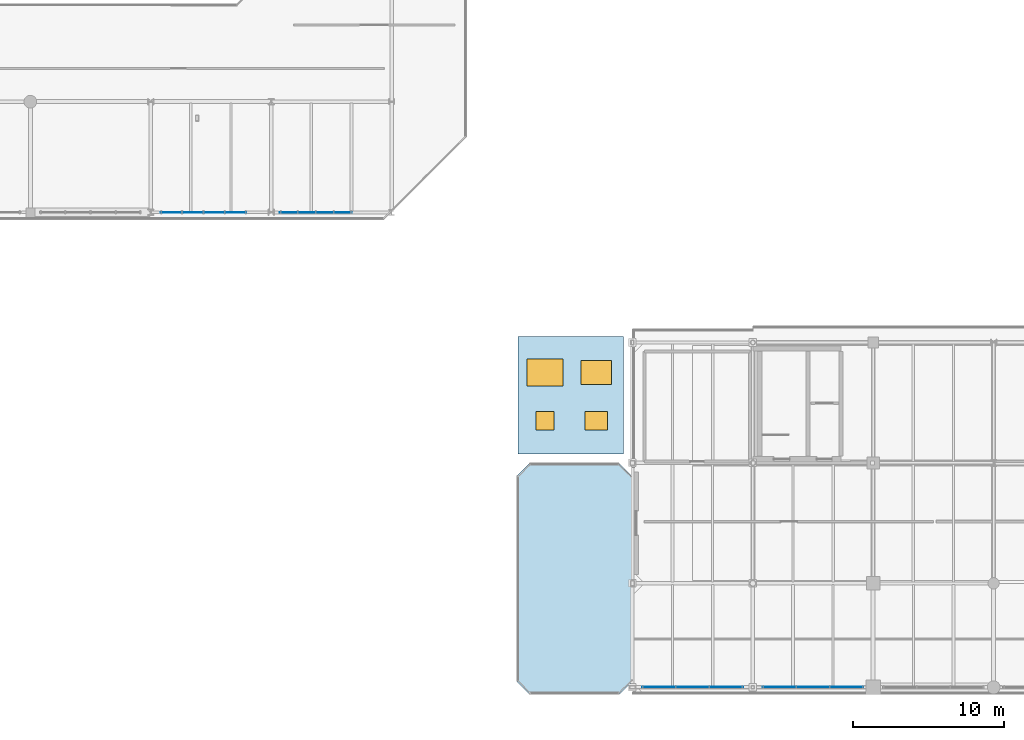
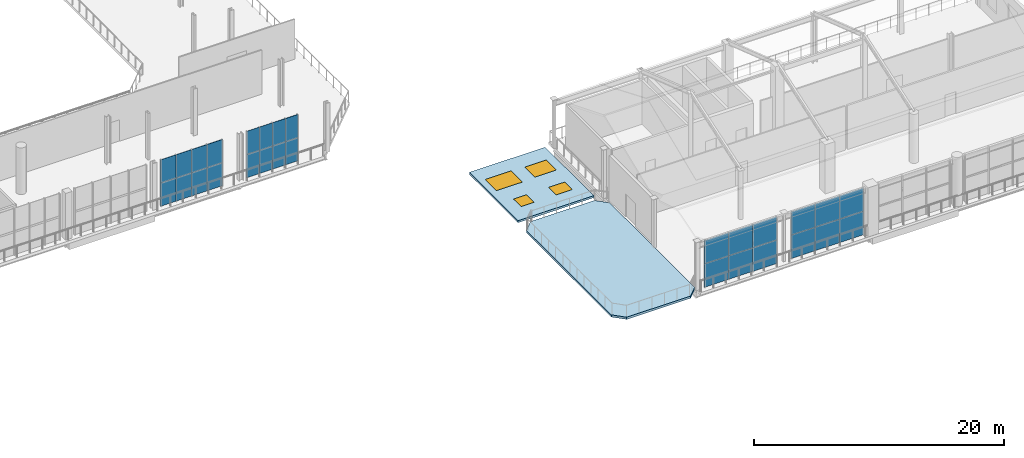
# One storey, part 29 of 51: 28 plates, 4 windows, 2 slabs, 4 openings, 4 elements without a shape of their own.
"""IFC4 building model written with IfcOpenShell, lengths in metres."""

from ifc_helpers import new_model, si_unit, direction, frame, origin, origin_2d, place, context, subcontext, project, spatial, polyline, rectangle, outline, extrude, material, layer, layer_set, type_object, element, fill, aggregate, save


model = new_model("IFC4")

# Units and contexts
model_context = context("Model", 3, precision=1e-05, world=origin(), true_north=direction((0.0, 1.0)))
body_context = subcontext(model_context, "Body", "Model", "MODEL_VIEW")
ifc_project = project(units=[si_unit("LENGTHUNIT", "METRE"), si_unit("AREAUNIT", "SQUARE_METRE"), si_unit("VOLUMEUNIT", "CUBIC_METRE"), si_unit("PLANEANGLEUNIT", "RADIAN"), si_unit("MASSUNIT", "GRAM", prefix="KILO")], contexts=[model_context])

# Site, building, storey
site_placement = place(None, origin())
site = spatial("IfcSite", under=ifc_project, at=site_placement, CompositionType="ELEMENT")
building_placement = place(site_placement, origin())
building = spatial("IfcBuilding", under=site, at=building_placement, Name="Brisemont Oceanarium", CompositionType="ELEMENT")
storey_placement = place(building_placement, frame((0.0, 0.0, 15.0)))
storey = spatial("IfcBuildingStorey", under=building, at=storey_placement, Name="L03", CompositionType="ELEMENT", Elevation=15.0)

# Curtain wall, plates
ifc_material_1 = material(Name="Anodized Extruded Aluminum 6063-T6", Category="aluminium")
curtain_wall_type_1 = type_object("IfcCurtainWallType", Name="CW-EDU-58X43", PredefinedType="NOTDEFINED", material=ifc_material_1)
curtain_wall_1_placement = place(storey_placement, origin())
curtain_wall_1 = element("IfcCurtainWall", 1, at=curtain_wall_1_placement, inside=storey, type_object=curtain_wall_type_1, Name="CW-10 curtain wall CW-V3-S-L03-01", PredefinedType="NOTDEFINED")
ifc_material_2 = material(Name="Insulated Low-E Laminated Glass", Category="glass")
ifc_layer_1 = layer(ifc_material_2, 0.02587890625)
ifc_layer_set_1 = layer_set([ifc_layer_1], Name="Insulated Low-E Laminated Glass")
plate_type_1 = type_object("IfcPlateType", Name="PLT-CWP-V10", PredefinedType="CURTAIN_PANEL", material=ifc_layer_set_1)
plate_1_placement = place(storey_placement, frame((121.7666015625, 1.10009765625, 0.00146484375), z_axis=(0.0, 0.0, 1.0), x_axis=(1.0, 0.0, 0.0)))
plate_1 = element("IfcPlate", 2, at=plate_1_placement, type_object=plate_type_1, Name="CW-V3-S-L03-01 panel 1.1", PredefinedType="CURTAIN_PANEL", context=body_context, shape_type="SweptSolid", body=[
    extrude(rectangle(XDim=2.230224609375, YDim=0.02587890625, at=origin_2d()), origin(), (0.0, 0.0, 1.0), 2.297119140625),
])
plate_2_placement = place(storey_placement, frame((121.7666015625, 1.10009765625, 2.30126953125), z_axis=(0.0, 0.0, 1.0), x_axis=(1.0, 0.0, 0.0)))
plate_2 = element("IfcPlate", 3, at=plate_2_placement, type_object=plate_type_1, Name="CW-V3-S-L03-01 panel 1.2", PredefinedType="CURTAIN_PANEL", context=body_context, shape_type="SweptSolid", body=[
    extrude(rectangle(XDim=2.230224609375, YDim=0.02587890625, at=origin_2d()), origin(), (0.0, 0.0, 1.0), 2.297119140625),
])
plate_3_placement = place(storey_placement, frame((124.0, 1.10009765625, 0.00146484375), z_axis=(0.0, 0.0, 1.0), x_axis=(1.0, 0.0, 0.0)))
plate_3 = element("IfcPlate", 4, at=plate_3_placement, type_object=plate_type_1, Name="CW-V3-S-L03-01 panel 2.1", PredefinedType="CURTAIN_PANEL", context=body_context, shape_type="SweptSolid", body=[
    extrude(rectangle(XDim=2.230224609375, YDim=0.02587890625, at=origin_2d()), origin(), (0.0, 0.0, 1.0), 2.297119140625),
])
plate_4_placement = place(storey_placement, frame((124.0, 1.10009765625, 2.30126953125), z_axis=(0.0, 0.0, 1.0), x_axis=(1.0, 0.0, 0.0)))
plate_4 = element("IfcPlate", 5, at=plate_4_placement, type_object=plate_type_1, Name="CW-V3-S-L03-01 panel 2.2", PredefinedType="CURTAIN_PANEL", context=body_context, shape_type="SweptSolid", body=[
    extrude(rectangle(XDim=2.230224609375, YDim=0.02587890625, at=origin_2d()), origin(), (0.0, 0.0, 1.0), 2.297119140625),
])
plate_5_placement = place(storey_placement, frame((126.2333984375, 1.10009765625, 0.00146484375), z_axis=(0.0, 0.0, 1.0), x_axis=(1.0, 0.0, 0.0)))
plate_5 = element("IfcPlate", 6, at=plate_5_placement, type_object=plate_type_1, Name="CW-V3-S-L03-01 panel 3.1", PredefinedType="CURTAIN_PANEL", context=body_context, shape_type="SweptSolid", body=[
    extrude(rectangle(XDim=2.230224609375, YDim=0.02587890625, at=origin_2d()), origin(), (0.0, 0.0, 1.0), 2.297119140625),
])
plate_6_placement = place(storey_placement, frame((126.2333984375, 1.10009765625, 2.30126953125), z_axis=(0.0, 0.0, 1.0), x_axis=(1.0, 0.0, 0.0)))
plate_6 = element("IfcPlate", 7, at=plate_6_placement, type_object=plate_type_1, Name="CW-V3-S-L03-01 panel 3.2", PredefinedType="CURTAIN_PANEL", context=body_context, shape_type="SweptSolid", body=[
    extrude(rectangle(XDim=2.230224609375, YDim=0.02587890625, at=origin_2d()), origin(), (0.0, 0.0, 1.0), 2.297119140625),
])
aggregate(curtain_wall_1, [plate_1, plate_2, plate_3, plate_4, plate_5, plate_6])

curtain_wall_2_placement = place(storey_placement, origin())
curtain_wall_2 = element("IfcCurtainWall", 8, at=curtain_wall_2_placement, inside=storey, type_object=curtain_wall_type_1, Name="CW-10 curtain wall CW-V3-S-L03-02", PredefinedType="NOTDEFINED")
plate_7_placement = place(storey_placement, frame((129.7666015625, 1.10009765625, 0.00146484375), z_axis=(0.0, 0.0, 1.0), x_axis=(1.0, 0.0, 0.0)))
plate_7 = element("IfcPlate", 9, at=plate_7_placement, type_object=plate_type_1, Name="CW-V3-S-L03-02 panel 1.1", PredefinedType="CURTAIN_PANEL", context=body_context, shape_type="SweptSolid", body=[
    extrude(rectangle(XDim=2.230224609375, YDim=0.02587890625, at=origin_2d()), origin(), (0.0, 0.0, 1.0), 2.297119140625),
])
plate_8_placement = place(storey_placement, frame((129.7666015625, 1.10009765625, 2.30126953125), z_axis=(0.0, 0.0, 1.0), x_axis=(1.0, 0.0, 0.0)))
plate_8 = element("IfcPlate", 10, at=plate_8_placement, type_object=plate_type_1, Name="CW-V3-S-L03-02 panel 1.2", PredefinedType="CURTAIN_PANEL", context=body_context, shape_type="SweptSolid", body=[
    extrude(rectangle(XDim=2.230224609375, YDim=0.02587890625, at=origin_2d()), origin(), (0.0, 0.0, 1.0), 2.297119140625),
])
plate_9_placement = place(storey_placement, frame((132.0, 1.10009765625, 0.00146484375), z_axis=(0.0, 0.0, 1.0), x_axis=(1.0, 0.0, 0.0)))
plate_9 = element("IfcPlate", 11, at=plate_9_placement, type_object=plate_type_1, Name="CW-V3-S-L03-02 panel 2.1", PredefinedType="CURTAIN_PANEL", context=body_context, shape_type="SweptSolid", body=[
    extrude(rectangle(XDim=2.230224609375, YDim=0.02587890625, at=origin_2d()), origin(), (0.0, 0.0, 1.0), 2.297119140625),
])
plate_10_placement = place(storey_placement, frame((132.0, 1.10009765625, 2.30126953125), z_axis=(0.0, 0.0, 1.0), x_axis=(1.0, 0.0, 0.0)))
plate_10 = element("IfcPlate", 12, at=plate_10_placement, type_object=plate_type_1, Name="CW-V3-S-L03-02 panel 2.2", PredefinedType="CURTAIN_PANEL", context=body_context, shape_type="SweptSolid", body=[
    extrude(rectangle(XDim=2.230224609375, YDim=0.02587890625, at=origin_2d()), origin(), (0.0, 0.0, 1.0), 2.297119140625),
])
plate_11_placement = place(storey_placement, frame((134.2333984375, 1.10009765625, 0.00146484375), z_axis=(0.0, 0.0, 1.0), x_axis=(1.0, 0.0, 0.0)))
plate_11 = element("IfcPlate", 13, at=plate_11_placement, type_object=plate_type_1, Name="CW-V3-S-L03-02 panel 3.1", PredefinedType="CURTAIN_PANEL", context=body_context, shape_type="SweptSolid", body=[
    extrude(rectangle(XDim=2.230224609375, YDim=0.02587890625, at=origin_2d()), origin(), (0.0, 0.0, 1.0), 2.297119140625),
])
plate_12_placement = place(storey_placement, frame((134.2333984375, 1.10009765625, 2.30126953125), z_axis=(0.0, 0.0, 1.0), x_axis=(1.0, 0.0, 0.0)))
plate_12 = element("IfcPlate", 14, at=plate_12_placement, type_object=plate_type_1, Name="CW-V3-S-L03-02 panel 3.2", PredefinedType="CURTAIN_PANEL", context=body_context, shape_type="SweptSolid", body=[
    extrude(rectangle(XDim=2.230224609375, YDim=0.02587890625, at=origin_2d()), origin(), (0.0, 0.0, 1.0), 2.297119140625),
])
aggregate(curtain_wall_2, [plate_7, plate_8, plate_9, plate_10, plate_11, plate_12])

ifc_material_3 = material(Name="Anodized Extruded Aluminum 6063-T6", Category="aluminium")
curtain_wall_type_2 = type_object("IfcCurtainWallType", Name="CW-ROT-69X44", PredefinedType="NOTDEFINED", material=ifc_material_3)
curtain_wall_3_placement = place(storey_placement, origin())
curtain_wall_3 = element("IfcCurtainWall", 15, at=curtain_wall_3_placement, inside=storey, type_object=curtain_wall_type_2, Name="CW-03 curtain wall CW-V1-S-L03-04", PredefinedType="NOTDEFINED")
ifc_material_4 = material(Name="Insulated Low-E Laminated Glass", Category="glass")
ifc_layer_2 = layer(ifc_material_4, 0.028076171875)
ifc_layer_set_2 = layer_set([ifc_layer_2], Name="Insulated Low-E Laminated Glass")
plate_type_2 = type_object("IfcPlateType", Name="PLT-CWP-V3", PredefinedType="CURTAIN_PANEL", material=ifc_layer_set_2)
plate_13_placement = place(storey_placement, frame((89.362548828125, 32.64990234375, 0.00146484375), z_axis=(0.0, 0.0, 1.0), x_axis=(1.0, 0.0, 0.0)))
plate_13 = element("IfcPlate", 16, at=plate_13_placement, type_object=plate_type_2, Name="CW-V1-S-L03-04 panel 1.1", PredefinedType="CURTAIN_PANEL", context=body_context, shape_type="SweptSolid", body=[
    extrude(rectangle(XDim=1.422119140625, YDim=0.028076171875, at=origin_2d()), origin(), (0.0, 0.0, 1.0), 2.26708984375),
])
plate_14_placement = place(storey_placement, frame((89.362548828125, 32.64990234375, 2.271484375), z_axis=(0.0, 0.0, 1.0), x_axis=(1.0, 0.0, 0.0)))
plate_14 = element("IfcPlate", 17, at=plate_14_placement, type_object=plate_type_2, Name="CW-V1-S-L03-04 panel 1.2", PredefinedType="CURTAIN_PANEL", context=body_context, shape_type="SweptSolid", body=[
    extrude(rectangle(XDim=1.422119140625, YDim=0.028076171875, at=origin_2d()), origin(), (0.0, 0.0, 1.0), 2.26708984375),
])
plate_15_placement = place(storey_placement, frame((90.78759765625, 32.64990234375, 0.00146484375), z_axis=(0.0, 0.0, 1.0), x_axis=(1.0, 0.0, 0.0)))
plate_15 = element("IfcPlate", 18, at=plate_15_placement, type_object=plate_type_2, Name="CW-V1-S-L03-04 panel 2.1", PredefinedType="CURTAIN_PANEL", context=body_context, shape_type="SweptSolid", body=[
    extrude(rectangle(XDim=1.422119140625, YDim=0.028076171875, at=origin_2d()), origin(), (0.0, 0.0, 1.0), 2.26708984375),
])
plate_16_placement = place(storey_placement, frame((90.78759765625, 32.64990234375, 2.271484375), z_axis=(0.0, 0.0, 1.0), x_axis=(1.0, 0.0, 0.0)))
plate_16 = element("IfcPlate", 19, at=plate_16_placement, type_object=plate_type_2, Name="CW-V1-S-L03-04 panel 2.2", PredefinedType="CURTAIN_PANEL", context=body_context, shape_type="SweptSolid", body=[
    extrude(rectangle(XDim=1.422119140625, YDim=0.028076171875, at=origin_2d()), origin(), (0.0, 0.0, 1.0), 2.26708984375),
])
plate_17_placement = place(storey_placement, frame((92.21240234375, 32.64990234375, 0.00146484375), z_axis=(0.0, 0.0, 1.0), x_axis=(1.0, 0.0, 0.0)))
plate_17 = element("IfcPlate", 20, at=plate_17_placement, type_object=plate_type_2, Name="CW-V1-S-L03-04 panel 3.1", PredefinedType="CURTAIN_PANEL", context=body_context, shape_type="SweptSolid", body=[
    extrude(rectangle(XDim=1.422119140625, YDim=0.028076171875, at=origin_2d()), origin(), (0.0, 0.0, 1.0), 2.26708984375),
])
plate_18_placement = place(storey_placement, frame((92.21240234375, 32.64990234375, 2.271484375), z_axis=(0.0, 0.0, 1.0), x_axis=(1.0, 0.0, 0.0)))
plate_18 = element("IfcPlate", 21, at=plate_18_placement, type_object=plate_type_2, Name="CW-V1-S-L03-04 panel 3.2", PredefinedType="CURTAIN_PANEL", context=body_context, shape_type="SweptSolid", body=[
    extrude(rectangle(XDim=1.422119140625, YDim=0.028076171875, at=origin_2d()), origin(), (0.0, 0.0, 1.0), 2.26708984375),
])
plate_19_placement = place(storey_placement, frame((93.637451171875, 32.64990234375, 0.00146484375), z_axis=(0.0, 0.0, 1.0), x_axis=(1.0, 0.0, 0.0)))
plate_19 = element("IfcPlate", 22, at=plate_19_placement, type_object=plate_type_2, Name="CW-V1-S-L03-04 panel 4.1", PredefinedType="CURTAIN_PANEL", context=body_context, shape_type="SweptSolid", body=[
    extrude(rectangle(XDim=1.422119140625, YDim=0.028076171875, at=origin_2d()), origin(), (0.0, 0.0, 1.0), 2.26708984375),
])
plate_20_placement = place(storey_placement, frame((93.637451171875, 32.64990234375, 2.271484375), z_axis=(0.0, 0.0, 1.0), x_axis=(1.0, 0.0, 0.0)))
plate_20 = element("IfcPlate", 23, at=plate_20_placement, type_object=plate_type_2, Name="CW-V1-S-L03-04 panel 4.2", PredefinedType="CURTAIN_PANEL", context=body_context, shape_type="SweptSolid", body=[
    extrude(rectangle(XDim=1.422119140625, YDim=0.028076171875, at=origin_2d()), origin(), (0.0, 0.0, 1.0), 2.26708984375),
])
aggregate(curtain_wall_3, [plate_13, plate_14, plate_15, plate_16, plate_17, plate_18, plate_19, plate_20])

curtain_wall_4_placement = place(storey_placement, origin())
curtain_wall_4 = element("IfcCurtainWall", 24, at=curtain_wall_4_placement, inside=storey, type_object=curtain_wall_type_2, Name="CW-03 curtain wall CW-V1-S-L03-05", PredefinedType="NOTDEFINED")
plate_21_placement = place(storey_placement, frame((97.17626953125, 32.64990234375, 0.00146484375), z_axis=(0.0, 0.0, 1.0), x_axis=(1.0, 0.0, 0.0)))
plate_21 = element("IfcPlate", 25, at=plate_21_placement, type_object=plate_type_2, Name="CW-V1-S-L03-05 panel 1.1", PredefinedType="CURTAIN_PANEL", context=body_context, shape_type="SweptSolid", body=[
    extrude(rectangle(XDim=1.189453125, YDim=0.028076171875, at=origin_2d()), origin(), (0.0, 0.0, 1.0), 2.26708984375),
])
plate_22_placement = place(storey_placement, frame((97.17626953125, 32.64990234375, 2.271484375), z_axis=(0.0, 0.0, 1.0), x_axis=(1.0, 0.0, 0.0)))
plate_22 = element("IfcPlate", 26, at=plate_22_placement, type_object=plate_type_2, Name="CW-V1-S-L03-05 panel 1.2", PredefinedType="CURTAIN_PANEL", context=body_context, shape_type="SweptSolid", body=[
    extrude(rectangle(XDim=1.189453125, YDim=0.028076171875, at=origin_2d()), origin(), (0.0, 0.0, 1.0), 2.26708984375),
])
plate_23_placement = place(storey_placement, frame((98.36865234375, 32.64990234375, 0.00146484375), z_axis=(0.0, 0.0, 1.0), x_axis=(1.0, 0.0, 0.0)))
plate_23 = element("IfcPlate", 27, at=plate_23_placement, type_object=plate_type_2, Name="CW-V1-S-L03-05 panel 2.1", PredefinedType="CURTAIN_PANEL", context=body_context, shape_type="SweptSolid", body=[
    extrude(rectangle(XDim=1.189453125, YDim=0.028076171875, at=origin_2d()), origin(), (0.0, 0.0, 1.0), 2.26708984375),
])
plate_24_placement = place(storey_placement, frame((98.36865234375, 32.64990234375, 2.271484375), z_axis=(0.0, 0.0, 1.0), x_axis=(1.0, 0.0, 0.0)))
plate_24 = element("IfcPlate", 28, at=plate_24_placement, type_object=plate_type_2, Name="CW-V1-S-L03-05 panel 2.2", PredefinedType="CURTAIN_PANEL", context=body_context, shape_type="SweptSolid", body=[
    extrude(rectangle(XDim=1.189453125, YDim=0.028076171875, at=origin_2d()), origin(), (0.0, 0.0, 1.0), 2.26708984375),
])
plate_25_placement = place(storey_placement, frame((99.561279296875, 32.64990234375, 0.00146484375), z_axis=(0.0, 0.0, 1.0), x_axis=(1.0, 0.0, 0.0)))
plate_25 = element("IfcPlate", 29, at=plate_25_placement, type_object=plate_type_2, Name="CW-V1-S-L03-05 panel 3.1", PredefinedType="CURTAIN_PANEL", context=body_context, shape_type="SweptSolid", body=[
    extrude(rectangle(XDim=1.189453125, YDim=0.028076171875, at=origin_2d()), origin(), (0.0, 0.0, 1.0), 2.26708984375),
])
plate_26_placement = place(storey_placement, frame((99.561279296875, 32.64990234375, 2.271484375), z_axis=(0.0, 0.0, 1.0), x_axis=(1.0, 0.0, 0.0)))
plate_26 = element("IfcPlate", 30, at=plate_26_placement, type_object=plate_type_2, Name="CW-V1-S-L03-05 panel 3.2", PredefinedType="CURTAIN_PANEL", context=body_context, shape_type="SweptSolid", body=[
    extrude(rectangle(XDim=1.189453125, YDim=0.028076171875, at=origin_2d()), origin(), (0.0, 0.0, 1.0), 2.26708984375),
])
plate_27_placement = place(storey_placement, frame((100.753662109375, 32.64990234375, 0.00146484375), z_axis=(0.0, 0.0, 1.0), x_axis=(1.0, 0.0, 0.0)))
plate_27 = element("IfcPlate", 31, at=plate_27_placement, type_object=plate_type_2, Name="CW-V1-S-L03-05 panel 4.1", PredefinedType="CURTAIN_PANEL", context=body_context, shape_type="SweptSolid", body=[
    extrude(rectangle(XDim=1.189453125, YDim=0.028076171875, at=origin_2d()), origin(), (0.0, 0.0, 1.0), 2.26708984375),
])
plate_28_placement = place(storey_placement, frame((100.753662109375, 32.64990234375, 2.271484375), z_axis=(0.0, 0.0, 1.0), x_axis=(1.0, 0.0, 0.0)))
plate_28 = element("IfcPlate", 32, at=plate_28_placement, type_object=plate_type_2, Name="CW-V1-S-L03-05 panel 4.2", PredefinedType="CURTAIN_PANEL", context=body_context, shape_type="SweptSolid", body=[
    extrude(rectangle(XDim=1.189453125, YDim=0.028076171875, at=origin_2d()), origin(), (0.0, 0.0, 1.0), 2.26708984375),
])
aggregate(curtain_wall_4, [plate_21, plate_22, plate_23, plate_24, plate_25, plate_26, plate_27, plate_28])

# Slab, openings, windows
ifc_material_5 = material(Name="Concrete C35/45", Category="concrete")
ifc_layer_3 = layer(ifc_material_5, 0.199951171875)
ifc_layer_set_3 = layer_set([ifc_layer_3], Name="Concrete C35/45")
slab_type_1 = type_object("IfcSlabType", Name="SLB-RF-200", PredefinedType="ROOF", material=ifc_layer_set_3)
slab_1_placement = place(storey_placement, frame((0.0, 0.0, -0.199951171875)))
slab_1 = element("IfcSlab", 33, at=slab_1_placement, inside=storey, type_object=slab_type_1, Name="V3S L03 roof slab", PredefinedType="ROOF", context=body_context, shape_type="SweptSolid", body=[
    extrude(outline(polyline([(112.39990234375, 16.60009765625), (119.39990234375, 16.60009765625), (119.39990234375, 24.39990234375), (112.39990234375, 24.39990234375), (112.39990234375, 16.60009765625)])), origin(), (0.0, 0.0, 1.0), 0.199951171875),
])
opening_1_placement = place(slab_1_placement, frame((114.199951171875, 18.800048828125, 0.0)))
opening_1 = element("IfcOpeningElement", 34, at=opening_1_placement, cuts=slab_1, Name="Opening SKL-01", PredefinedType="OPENING", context=body_context, shape_type="SweptSolid", body=[
    extrude(rectangle(XDim=1.199951171875, YDim=1.199951171875, at=origin_2d()), origin(), (0.0, 0.0, 1.0), 0.199951171875),
])
opening_2_placement = place(slab_1_placement, frame((117.60009765625, 18.800048828125, 0.0)))
opening_2 = element("IfcOpeningElement", 35, at=opening_2_placement, cuts=slab_1, Name="Opening SKL-02", PredefinedType="OPENING", context=body_context, shape_type="SweptSolid", body=[
    extrude(rectangle(XDim=1.5, YDim=1.199951171875, at=origin_2d()), origin(), (0.0, 0.0, 1.0), 0.199951171875),
])
opening_3_placement = place(slab_1_placement, frame((114.199951171875, 22.0, 0.0)))
opening_3 = element("IfcOpeningElement", 36, at=opening_3_placement, cuts=slab_1, Name="Opening SKL-03", PredefinedType="OPENING", context=body_context, shape_type="SweptSolid", body=[
    extrude(rectangle(XDim=2.39990234375, YDim=1.800048828125, at=origin_2d()), origin(), (0.0, 0.0, 1.0), 0.199951171875),
])
opening_4_placement = place(slab_1_placement, frame((117.60009765625, 22.0, 0.0)))
opening_4 = element("IfcOpeningElement", 37, at=opening_4_placement, cuts=slab_1, Name="Opening SKL-04", PredefinedType="OPENING", context=body_context, shape_type="SweptSolid", body=[
    extrude(rectangle(XDim=2.0, YDim=1.60009765625, at=origin_2d()), origin(), (0.0, 0.0, 1.0), 0.199951171875),
])
ifc_material_6 = material(Name="Insulated Low-E Laminated Glass", Category="glass")
window_type_1 = type_object("IfcWindowType", Name="SKY-HATCH-1200X1200", PartitioningType="SINGLE_PANEL", PredefinedType="SKYLIGHT", material=ifc_material_6)
window_1_placement = place(opening_1_placement, frame((0.0, 0.0, 0.14990234375)))
window_1 = element("IfcWindow", 38, at=window_1_placement, inside=storey, type_object=window_type_1, Name="SKL-01 gallery setback roof skylight 5", OverallHeight=1.199951171875, OverallWidth=1.199951171875, PartitioningType="SINGLE_PANEL", PredefinedType="SKYLIGHT", context=body_context, shape_type="SweptSolid", body=[
    extrude(rectangle(XDim=1.199951171875, YDim=1.199951171875, at=origin_2d()), origin(), (0.0, 0.0, 1.0), 0.050048828125),
])
fill(opening_1, window_1)
ifc_material_7 = material(Name="Insulated Low-E Laminated Glass", Category="glass")
window_type_2 = type_object("IfcWindowType", Name="SKY-HATCH-1500X1200", PartitioningType="SINGLE_PANEL", PredefinedType="SKYLIGHT", material=ifc_material_7)
window_2_placement = place(opening_2_placement, frame((0.0, 0.0, 0.14990234375)))
window_2 = element("IfcWindow", 39, at=window_2_placement, inside=storey, type_object=window_type_2, Name="SKL-02 gallery setback roof skylight 6", OverallHeight=1.199951171875, OverallWidth=1.5, PartitioningType="SINGLE_PANEL", PredefinedType="SKYLIGHT", context=body_context, shape_type="SweptSolid", body=[
    extrude(rectangle(XDim=1.5, YDim=1.199951171875, at=origin_2d()), origin(), (0.0, 0.0, 1.0), 0.050048828125),
])
fill(opening_2, window_2)
ifc_material_8 = material(Name="Insulated Low-E Laminated Glass", Category="glass")
window_type_3 = type_object("IfcWindowType", Name="SKY-LANTERN-2000X1600", PartitioningType="SINGLE_PANEL", PredefinedType="SKYLIGHT", material=ifc_material_8)
window_3_placement = place(opening_4_placement, frame((0.0, 0.0, 0.14990234375)))
window_3 = element("IfcWindow", 40, at=window_3_placement, inside=storey, type_object=window_type_3, Name="SKL-04 gallery setback roof skylight 8", OverallHeight=1.60009765625, OverallWidth=2.0, PartitioningType="SINGLE_PANEL", PredefinedType="SKYLIGHT", context=body_context, shape_type="SweptSolid", body=[
    extrude(rectangle(XDim=2.0, YDim=1.60009765625, at=origin_2d()), origin(), (0.0, 0.0, 1.0), 0.050048828125),
])
fill(opening_4, window_3)
ifc_material_9 = material(Name="Insulated Low-E Laminated Glass", Category="glass")
window_type_4 = type_object("IfcWindowType", Name="SKY-LANTERN-2400X1800", PartitioningType="SINGLE_PANEL", PredefinedType="SKYLIGHT", material=ifc_material_9)
window_4_placement = place(opening_3_placement, frame((0.0, 0.0, 0.14990234375)))
window_4 = element("IfcWindow", 41, at=window_4_placement, inside=storey, type_object=window_type_4, Name="SKL-03 gallery setback roof skylight 7", OverallHeight=1.800048828125, OverallWidth=2.39990234375, PartitioningType="SINGLE_PANEL", PredefinedType="SKYLIGHT", context=body_context, shape_type="SweptSolid", body=[
    extrude(rectangle(XDim=2.39990234375, YDim=1.800048828125, at=origin_2d()), origin(), (0.0, 0.0, 1.0), 0.050048828125),
])
fill(opening_3, window_4)

# Slab
ifc_material_10 = material(Name="Concrete C40/50", Category="concrete")
ifc_layer_4 = layer(ifc_material_10, 0.219970703125)
ifc_layer_set_4 = layer_set([ifc_layer_4], Name="Concrete C40/50")
slab_type_2 = type_object("IfcSlabType", Name="SLB-TER-220", PredefinedType="FLOOR", material=ifc_layer_set_4)
slab_2_placement = place(storey_placement, frame((0.0, 0.0, -0.219970703125)))
element("IfcSlab", 42, at=slab_2_placement, inside=storey, type_object=slab_type_2, Name="V3 L03 terrace slab", PredefinedType="FLOOR", context=body_context, shape_type="SweptSolid", body=[
    extrude(outline(polyline([(113.199951171875, 0.60009765625), (119.10009765625, 0.60009765625), (120.0, 1.5), (120.0, 15.10009765625), (119.10009765625, 16.0), (113.199951171875, 16.0), (112.300048828125, 15.10009765625), (112.300048828125, 1.5), (113.199951171875, 0.60009765625)])), origin(), (0.0, 0.0, 1.0), 0.219970703125),
])

save(model, "model.ifc")
